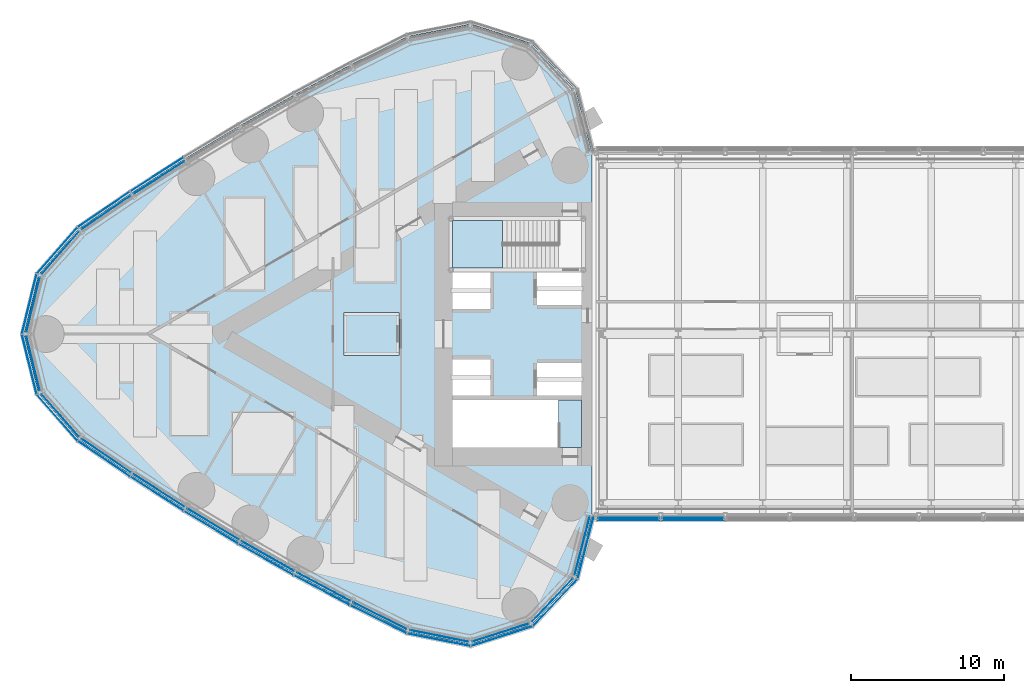
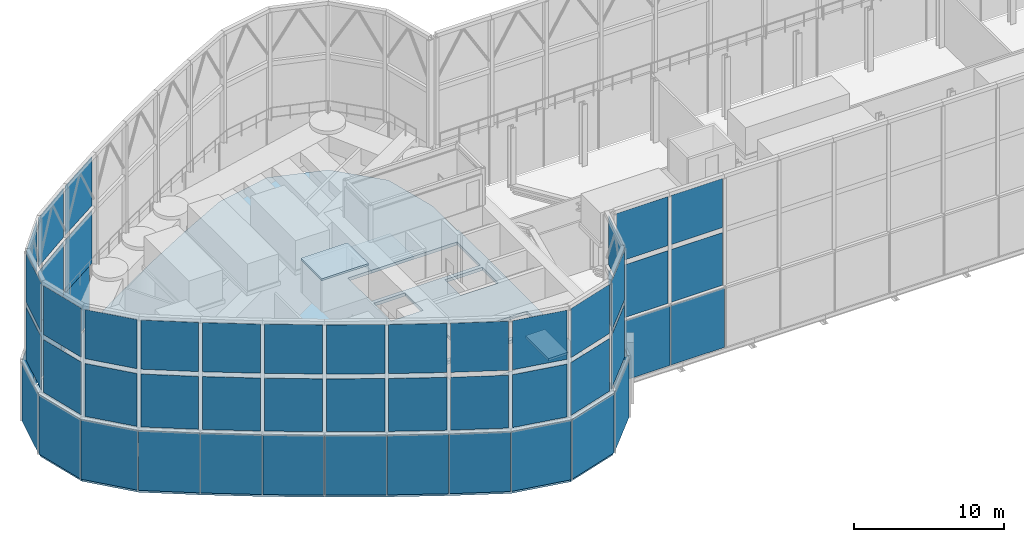
# One storey, part 22 of 33: 55 plates, 3 slabs, 5 elements without a shape of their own.
"""IFC4 building model written with IfcOpenShell, lengths in metres."""

from ifc_helpers import new_model, si_unit, direction, frame, origin, origin_2d, place, context, subcontext, project, spatial, polyline, rectangle, outline, extrude, material, layer, layer_set, type_object, element, aggregate, save


model = new_model("IFC4")

# Units and contexts
model_context = context("Model", 3, precision=1e-05, world=origin(), true_north=direction((0.0, 1.0)))
body_context = subcontext(model_context, "Body", "Model", "MODEL_VIEW")
ifc_project = project(units=[si_unit("LENGTHUNIT", "METRE"), si_unit("AREAUNIT", "SQUARE_METRE"), si_unit("VOLUMEUNIT", "CUBIC_METRE"), si_unit("PLANEANGLEUNIT", "RADIAN"), si_unit("MASSUNIT", "GRAM", prefix="KILO")], contexts=[model_context])

# Site, building, storey
site_placement = place(None, origin())
site = spatial("IfcSite", under=ifc_project, at=site_placement, CompositionType="ELEMENT")
building_placement = place(site_placement, origin())
building = spatial("IfcBuilding", under=site, at=building_placement, Name="Lancet Gate Hotel", CompositionType="ELEMENT")
storey_placement = place(building_placement, frame((0.0, 0.0, 268.300048828125)))
storey = spatial("IfcBuildingStorey", under=building, at=storey_placement, Name="L70", CompositionType="ELEMENT", Elevation=268.300048828125)

# Slab
ifc_material_1 = material(Name="Concrete C50/60", Category="concrete")
ifc_layer_1 = layer(ifc_material_1, 0.25)
ifc_layer_set_1 = layer_set([ifc_layer_1], Name="Floor slab 250")
slab_type_1 = type_object("IfcSlabType", Name="Floor slab 250", PredefinedType="FLOOR", material=ifc_layer_set_1)
slab_1_placement = place(storey_placement, frame((0.0, 0.0, -0.25)))
element("IfcSlab", 1, at=slab_1_placement, inside=storey, type_object=slab_type_1, Name="T1 L70 floor slab", PredefinedType="FLOOR", context=body_context, shape_type="SweptSolid", body=[
    extrude(outline(polyline([(-27.6201171875, 8.60009765625), (-27.6201171875, 11.84619140625), (-28.668701171875, 15.912353515625), (-31.542236328125, 18.95263671875), (-35.52783203125, 20.22412109375), (-39.645751953125, 19.40673828125), (-43.344482421875, 17.565673828125), (-47.005126953125, 15.618896484375), (-50.61181640625, 13.574462890625), (-54.162353515625, 11.43359375), (-57.654052734375, 9.197998046875), (-61.072998046875, 6.876708984375), (-63.71240234375, 3.871337890625), (-64.66064453125, 0.0), (-63.71240234375, -3.871337890625), (-61.072998046875, -6.876708984375), (-57.654052734375, -9.197998046875), (-54.162353515625, -11.43359375), (-50.61181640625, -13.574462890625), (-47.005126953125, -15.618896484375), (-43.344482421875, -17.565673828125), (-39.645751953125, -19.40673828125), (-35.52783203125, -20.22412109375), (-31.542236328125, -18.95263671875), (-28.668701171875, -15.912353515625), (-27.6201171875, -11.84619140625), (-27.6201171875, -8.60009765625), (-27.5, -8.60009765625), (-27.5, -8.199951171875), (-27.5, 8.199951171875), (-27.5, 8.60009765625), (-27.6201171875, 8.60009765625)]), holes=[polyline([(-28.300048828125, 7.39990234375), (-36.699951171875, 7.39990234375), (-36.699951171875, 4.300048828125), (-28.300048828125, 4.300048828125), (-28.300048828125, 7.39990234375)]), polyline([(-28.300048828125, 1.89990234375), (-28.300048828125, 4.0), (-31.199951171875, 4.0), (-31.199951171875, 1.89990234375), (-28.300048828125, 1.89990234375)]), polyline([(-34.25, 1.64990234375), (-34.25, 4.0), (-36.699951171875, 4.0), (-36.699951171875, 1.64990234375), (-34.25, 1.64990234375)]), polyline([(-34.25, -1.64990234375), (-36.699951171875, -1.64990234375), (-36.699951171875, -4.0), (-34.25, -4.0), (-34.25, -1.64990234375)]), polyline([(-28.300048828125, -4.0), (-28.300048828125, -1.89990234375), (-31.199951171875, -1.89990234375), (-31.199951171875, -4.0), (-28.300048828125, -4.0)]), polyline([(-28.300048828125, -7.39990234375), (-28.300048828125, -4.300048828125), (-36.699951171875, -4.300048828125), (-36.699951171875, -7.39990234375), (-28.300048828125, -7.39990234375)])]), origin(), (0.0, 0.0, 1.0), 0.25),
])

# Curtain wall, plates
ifc_material_2 = material(Name="Aluminium curtain wall", Category="aluminium")
curtain_wall_type_1 = type_object("IfcCurtainWallType", Name="Lantern crown glazing", PredefinedType="USERDEFINED", material=ifc_material_2)
curtain_wall_1_placement = place(storey_placement, origin())
curtain_wall_1 = element("IfcCurtainWall", 2, at=curtain_wall_1_placement, inside=storey, type_object=curtain_wall_type_1, Name="T1 L70 curtain wall 1", ObjectType="LANTERN GLAZING", PredefinedType="USERDEFINED")
ifc_material_3 = material(Name="Laminated low-iron glass 12-12", Category="glass")
ifc_layer_2 = layer(ifc_material_3, 0.02392578125)
ifc_layer_set_2 = layer_set([ifc_layer_2], Name="Lantern glass panel")
plate_type_1 = type_object("IfcPlateType", Name="Lantern glass panel", PredefinedType="CURTAIN_PANEL", material=ifc_layer_set_2)
plate_1_placement = place(storey_placement, frame((-55.972900390625, 10.416748046875, 0.0), z_axis=(0.0, 0.0, 1.0), x_axis=(-0.842161066725, -0.539226054352, 0.0)))
plate_1 = element("IfcPlate", 3, at=plate_1_placement, type_object=plate_type_1, Name="T1 L70 curtain wall 1 panel 9", PredefinedType="CURTAIN_PANEL", context=body_context, shape_type="SweptSolid", body=[
    extrude(rectangle(XDim=4.084228515625, YDim=0.02392578125, at=origin_2d()), origin(), (0.0, 0.0, 1.0), 4.85009765625),
])
plate_2_placement = place(storey_placement, frame((-59.4365234375, 8.1328125, 0.0), z_axis=(0.0, 0.0, 1.0), x_axis=(-0.827342052281, -0.561698432014, 0.0)))
plate_2 = element("IfcPlate", 4, at=plate_2_placement, type_object=plate_type_1, Name="T1 L70 curtain wall 1 panel 10", PredefinedType="CURTAIN_PANEL", context=body_context, shape_type="SweptSolid", body=[
    extrude(rectangle(XDim=4.084228515625, YDim=0.02392578125, at=origin_2d()), origin(), (0.0, 0.0, 1.0), 4.85009765625),
])
plate_3_placement = place(storey_placement, frame((-62.487548828125, 5.447998046875, 0.0), z_axis=(0.0, 0.0, 1.0), x_axis=(-0.659891635916, -0.751360784742, 0.0)))
plate_3 = element("IfcPlate", 5, at=plate_3_placement, type_object=plate_type_1, Name="T1 L70 curtain wall 1 panel 11", PredefinedType="CURTAIN_PANEL", context=body_context, shape_type="SweptSolid", body=[
    extrude(rectangle(XDim=3.979736328125, YDim=0.02392578125, at=origin_2d()), origin(), (0.0, 0.0, 1.0), 4.85009765625),
])
plate_4_placement = place(storey_placement, frame((-64.30322265625, 1.96435546875, 0.0), z_axis=(0.0, 0.0, 1.0), x_axis=(-0.237921018621, -0.971284504612, 0.0)))
plate_4 = element("IfcPlate", 6, at=plate_4_placement, type_object=plate_type_1, Name="T1 L70 curtain wall 1 panel 12", PredefinedType="CURTAIN_PANEL", context=body_context, shape_type="SweptSolid", body=[
    extrude(rectangle(XDim=3.979736328125, YDim=0.02392578125, at=origin_2d()), origin(), (0.0, 0.0, 1.0), 4.85009765625),
])
plate_5_placement = place(storey_placement, frame((-64.30322265625, -1.96435546875, 0.0), z_axis=(0.0, 0.0, 1.0), x_axis=(0.237921018621, -0.971284504612, 0.0)))
plate_5 = element("IfcPlate", 7, at=plate_5_placement, type_object=plate_type_1, Name="T1 L70 curtain wall 1 panel 13", PredefinedType="CURTAIN_PANEL", context=body_context, shape_type="SweptSolid", body=[
    extrude(rectangle(XDim=3.979736328125, YDim=0.02392578125, at=origin_2d()), origin(), (0.0, 0.0, 1.0), 4.85009765625),
])
plate_6_placement = place(storey_placement, frame((-62.487548828125, -5.447998046875, 0.0), z_axis=(0.0, 0.0, 1.0), x_axis=(0.659891635916, -0.751360784742, 0.0)))
plate_6 = element("IfcPlate", 8, at=plate_6_placement, type_object=plate_type_1, Name="T1 L70 curtain wall 1 panel 14", PredefinedType="CURTAIN_PANEL", context=body_context, shape_type="SweptSolid", body=[
    extrude(rectangle(XDim=3.979736328125, YDim=0.02392578125, at=origin_2d()), origin(), (0.0, 0.0, 1.0), 4.85009765625),
])
plate_7_placement = place(storey_placement, frame((-59.4365234375, -8.1328125, 0.0), z_axis=(0.0, 0.0, 1.0), x_axis=(0.827342052281, -0.561698432014, 0.0)))
plate_7 = element("IfcPlate", 9, at=plate_7_placement, type_object=plate_type_1, Name="T1 L70 curtain wall 1 panel 15", PredefinedType="CURTAIN_PANEL", context=body_context, shape_type="SweptSolid", body=[
    extrude(rectangle(XDim=4.084228515625, YDim=0.02392578125, at=origin_2d()), origin(), (0.0, 0.0, 1.0), 4.85009765625),
])
plate_8_placement = place(storey_placement, frame((-55.972900390625, -10.416748046875, 0.0), z_axis=(0.0, 0.0, 1.0), x_axis=(0.842161066725, -0.539226054352, 0.0)))
plate_8 = element("IfcPlate", 10, at=plate_8_placement, type_object=plate_type_1, Name="T1 L70 curtain wall 1 panel 16", PredefinedType="CURTAIN_PANEL", context=body_context, shape_type="SweptSolid", body=[
    extrude(rectangle(XDim=4.084228515625, YDim=0.02392578125, at=origin_2d()), origin(), (0.0, 0.0, 1.0), 4.85009765625),
])
plate_9_placement = place(storey_placement, frame((-52.44921875, -12.606689453125, 0.0), z_axis=(0.0, 0.0, 1.0), x_axis=(0.85636984205, -0.516362947574, 0.0)))
plate_9 = element("IfcPlate", 11, at=plate_9_placement, type_object=plate_type_1, Name="T1 L70 curtain wall 1 panel 17", PredefinedType="CURTAIN_PANEL", context=body_context, shape_type="SweptSolid", body=[
    extrude(rectangle(XDim=4.084228515625, YDim=0.02392578125, at=origin_2d()), origin(), (0.0, 0.0, 1.0), 4.85009765625),
])
plate_10_placement = place(storey_placement, frame((-48.86767578125, -14.701171875, 0.0), z_axis=(0.0, 0.0, 1.0), x_axis=(0.869958082404, -0.493125678565, 0.0)))
plate_10 = element("IfcPlate", 12, at=plate_10_placement, type_object=plate_type_1, Name="T1 L70 curtain wall 1 panel 18", PredefinedType="CURTAIN_PANEL", context=body_context, shape_type="SweptSolid", body=[
    extrude(rectangle(XDim=4.084228515625, YDim=0.02392578125, at=origin_2d()), origin(), (0.0, 0.0, 1.0), 4.85009765625),
])
plate_11_placement = place(storey_placement, frame((-45.23095703125, -16.6982421875, 0.0), z_axis=(0.0, 0.0, 1.0), x_axis=(0.882915941615, -0.469531085277, 0.0)))
plate_11 = element("IfcPlate", 13, at=plate_11_placement, type_object=plate_type_1, Name="T1 L70 curtain wall 1 panel 19", PredefinedType="CURTAIN_PANEL", context=body_context, shape_type="SweptSolid", body=[
    extrude(rectangle(XDim=4.084228515625, YDim=0.02392578125, at=origin_2d()), origin(), (0.0, 0.0, 1.0), 4.85009765625),
])
plate_12_placement = place(storey_placement, frame((-41.5419921875, -18.5966796875, 0.0), z_axis=(0.0, 0.0, 1.0), x_axis=(0.895234030262, -0.445596264639, 0.0)))
plate_12 = element("IfcPlate", 14, at=plate_12_placement, type_object=plate_type_1, Name="T1 L70 curtain wall 1 panel 20", PredefinedType="CURTAIN_PANEL", context=body_context, shape_type="SweptSolid", body=[
    extrude(rectangle(XDim=4.084228515625, YDim=0.02392578125, at=origin_2d()), origin(), (0.0, 0.0, 1.0), 4.85009765625),
])
plate_13_placement = place(storey_placement, frame((-37.602783203125, -19.9345703125, 0.0), z_axis=(0.0, 0.0, 1.0), x_axis=(0.980856647866, -0.194731189942, 0.0)))
plate_13 = element("IfcPlate", 15, at=plate_13_placement, type_object=plate_type_1, Name="T1 L70 curtain wall 1 panel 21", PredefinedType="CURTAIN_PANEL", context=body_context, shape_type="SweptSolid", body=[
    extrude(rectangle(XDim=4.180419921875, YDim=0.02392578125, at=origin_2d()), origin(), (0.0, 0.0, 1.0), 4.85009765625),
])
plate_14_placement = place(storey_placement, frame((-33.49853515625, -19.702880859375, 0.0), z_axis=(0.0, 0.0, 1.0), x_axis=(0.952695666833, 0.303925922549, 0.0)))
plate_14 = element("IfcPlate", 16, at=plate_14_placement, type_object=plate_type_1, Name="T1 L70 curtain wall 1 panel 22", PredefinedType="CURTAIN_PANEL", context=body_context, shape_type="SweptSolid", body=[
    extrude(rectangle(XDim=4.180419921875, YDim=0.02392578125, at=origin_2d()), origin(), (0.0, 0.0, 1.0), 4.85009765625),
])
plate_15_placement = place(storey_placement, frame((-30.018310546875, -17.514892578125, 0.0), z_axis=(0.0, 0.0, 1.0), x_axis=(0.686882887577, 0.726768118972, 0.0)))
plate_15 = element("IfcPlate", 17, at=plate_15_placement, type_object=plate_type_1, Name="T1 L70 curtain wall 1 panel 23", PredefinedType="CURTAIN_PANEL", context=body_context, shape_type="SweptSolid", body=[
    extrude(rectangle(XDim=4.180419921875, YDim=0.02392578125, at=origin_2d()), origin(), (0.0, 0.0, 1.0), 4.85009765625),
])
plate_16_placement = place(storey_placement, frame((-28.030029296875, -13.9169921875, 0.0), z_axis=(0.0, 0.0, 1.0), x_axis=(0.249725827997, 0.968316586056, 0.0)))
plate_16 = element("IfcPlate", 18, at=plate_16_placement, type_object=plate_type_1, Name="T1 L70 curtain wall 1 panel 24", PredefinedType="CURTAIN_PANEL", context=body_context, shape_type="SweptSolid", body=[
    extrude(rectangle(XDim=4.180419921875, YDim=0.02392578125, at=origin_2d()), origin(), (0.0, 0.0, 1.0), 4.85009765625),
])
aggregate(curtain_wall_1, [plate_1, plate_2, plate_3, plate_4, plate_5, plate_6, plate_7, plate_8, plate_9, plate_10, plate_11, plate_12, plate_13, plate_14, plate_15, plate_16])

curtain_wall_2_placement = place(storey_placement, origin())
curtain_wall_2 = element("IfcCurtainWall", 19, at=curtain_wall_2_placement, inside=storey, type_object=curtain_wall_type_1, Name="Bridge block L70 curtain wall S", ObjectType="LANTERN GLAZING", PredefinedType="USERDEFINED")
plate_17_placement = place(storey_placement, frame((-25.24609375, -12.1201171875, 0.0), z_axis=(0.0, 0.0, 1.0), x_axis=(1.0, 0.0, 0.0)))
plate_17 = element("IfcPlate", 20, at=plate_17_placement, type_object=plate_type_1, Name="Bridge block L70 curtain wall S panel 1", PredefinedType="CURTAIN_PANEL", context=body_context, shape_type="SweptSolid", body=[
    extrude(rectangle(XDim=4.142578125, YDim=0.02392578125, at=origin_2d()), origin(), (0.0, 0.0, 1.0), 4.85009765625),
])
plate_18_placement = place(storey_placement, frame((-21.03857421875, -12.1201171875, 0.0), z_axis=(0.0, 0.0, 1.0), x_axis=(1.0, 0.0, 0.0)))
plate_18 = element("IfcPlate", 21, at=plate_18_placement, type_object=plate_type_1, Name="Bridge block L70 curtain wall S panel 2", PredefinedType="CURTAIN_PANEL", context=body_context, shape_type="SweptSolid", body=[
    extrude(rectangle(XDim=4.142578125, YDim=0.02392578125, at=origin_2d()), origin(), (0.0, 0.0, 1.0), 4.85009765625),
])
aggregate(curtain_wall_2, [plate_17, plate_18])

ifc_material_4 = material(Name="Steel framed lantern screen", Category="steel")
curtain_wall_type_2 = type_object("IfcCurtainWallType", Name="Lantern screen", PredefinedType="USERDEFINED", material=ifc_material_4)
curtain_wall_3_placement = place(storey_placement, origin())
curtain_wall_3 = element("IfcCurtainWall", 22, at=curtain_wall_3_placement, inside=storey, type_object=curtain_wall_type_2, Name="T1 lantern screen 1", ObjectType="LANTERN SCREEN", PredefinedType="USERDEFINED")
ifc_material_5 = material(Name="Laminated low-iron glass 12-12", Category="glass")
ifc_layer_3 = layer(ifc_material_5, 0.02392578125)
ifc_layer_set_3 = layer_set([ifc_layer_3], Name="Lantern screen glass panel")
plate_type_2 = type_object("IfcPlateType", Name="Lantern screen glass panel", PredefinedType="CURTAIN_PANEL", material=ifc_layer_set_3)
plate_19_placement = place(storey_placement, frame((-55.838134765625, 10.206298828125, 5.0), z_axis=(0.0, 0.0, 1.0), x_axis=(-0.842161066725, -0.539226054352, 0.0)))
plate_19 = element("IfcPlate", 23, at=plate_19_placement, type_object=plate_type_2, Name="T1 lantern screen 1 glass 9L", PredefinedType="CURTAIN_PANEL", context=body_context, shape_type="SweptSolid", body=[
    extrude(rectangle(XDim=3.8896484375, YDim=0.02392578125, at=origin_2d()), origin(), (0.0, 0.0, 1.0), 4.300048828125),
])
plate_20_placement = place(storey_placement, frame((-55.838134765625, 10.206298828125, 9.699951171875), z_axis=(0.0, 0.0, 1.0), x_axis=(-0.842161066725, -0.539226054352, 0.0)))
plate_20 = element("IfcPlate", 24, at=plate_20_placement, type_object=plate_type_2, Name="T1 lantern screen 1 glass 9U", PredefinedType="CURTAIN_PANEL", context=body_context, shape_type="SweptSolid", body=[
    extrude(rectangle(XDim=3.8896484375, YDim=0.02392578125, at=origin_2d()), origin(), (0.0, 0.0, 1.0), 4.0),
])
plate_21_placement = place(storey_placement, frame((-59.279052734375, 7.9375, 5.0), z_axis=(0.0, 0.0, 1.0), x_axis=(-0.827342052281, -0.561698432014, 0.0)))
plate_21 = element("IfcPlate", 25, at=plate_21_placement, type_object=plate_type_2, Name="T1 lantern screen 1 glass 10L", PredefinedType="CURTAIN_PANEL", context=body_context, shape_type="SweptSolid", body=[
    extrude(rectangle(XDim=3.848388671875, YDim=0.02392578125, at=origin_2d()), origin(), (0.0, 0.0, 1.0), 4.300048828125),
])
plate_22_placement = place(storey_placement, frame((-59.279052734375, 7.9375, 9.699951171875), z_axis=(0.0, 0.0, 1.0), x_axis=(-0.827342052281, -0.561698432014, 0.0)))
plate_22 = element("IfcPlate", 26, at=plate_22_placement, type_object=plate_type_2, Name="T1 lantern screen 1 glass 10U", PredefinedType="CURTAIN_PANEL", context=body_context, shape_type="SweptSolid", body=[
    extrude(rectangle(XDim=3.848388671875, YDim=0.02392578125, at=origin_2d()), origin(), (0.0, 0.0, 1.0), 4.0),
])
plate_23_placement = place(storey_placement, frame((-62.28564453125, 5.298828125, 5.0), z_axis=(0.0, 0.0, 1.0), x_axis=(-0.659891635916, -0.751360784742, 0.0)))
plate_23 = element("IfcPlate", 27, at=plate_23_placement, type_object=plate_type_2, Name="T1 lantern screen 1 glass 11L", PredefinedType="CURTAIN_PANEL", context=body_context, shape_type="SweptSolid", body=[
    extrude(rectangle(XDim=3.66064453125, YDim=0.02392578125, at=origin_2d()), origin(), (0.0, 0.0, 1.0), 4.300048828125),
])
plate_24_placement = place(storey_placement, frame((-62.28564453125, 5.298828125, 9.699951171875), z_axis=(0.0, 0.0, 1.0), x_axis=(-0.659891635916, -0.751360784742, 0.0)))
plate_24 = element("IfcPlate", 28, at=plate_24_placement, type_object=plate_type_2, Name="T1 lantern screen 1 glass 11U", PredefinedType="CURTAIN_PANEL", context=body_context, shape_type="SweptSolid", body=[
    extrude(rectangle(XDim=3.66064453125, YDim=0.02392578125, at=origin_2d()), origin(), (0.0, 0.0, 1.0), 4.0),
])
plate_25_placement = place(storey_placement, frame((-64.060302734375, 1.90478515625, 5.0), z_axis=(0.0, 0.0, 1.0), x_axis=(-0.237921018621, -0.971284504612, 0.0)))
plate_25 = element("IfcPlate", 29, at=plate_25_placement, type_object=plate_type_2, Name="T1 lantern screen 1 glass 12L", PredefinedType="CURTAIN_PANEL", context=body_context, shape_type="SweptSolid", body=[
    extrude(rectangle(XDim=3.618408203125, YDim=0.02392578125, at=origin_2d()), origin(), (0.0, 0.0, 1.0), 4.300048828125),
])
plate_26_placement = place(storey_placement, frame((-64.060302734375, 1.90478515625, 9.699951171875), z_axis=(0.0, 0.0, 1.0), x_axis=(-0.237921018621, -0.971284504612, 0.0)))
plate_26 = element("IfcPlate", 30, at=plate_26_placement, type_object=plate_type_2, Name="T1 lantern screen 1 glass 12U", PredefinedType="CURTAIN_PANEL", context=body_context, shape_type="SweptSolid", body=[
    extrude(rectangle(XDim=3.618408203125, YDim=0.02392578125, at=origin_2d()), origin(), (0.0, 0.0, 1.0), 4.0),
])
plate_27_placement = place(storey_placement, frame((-64.060302734375, -1.90478515625, 5.0), z_axis=(0.0, 0.0, 1.0), x_axis=(0.237921018621, -0.971284504612, 0.0)))
plate_27 = element("IfcPlate", 31, at=plate_27_placement, type_object=plate_type_2, Name="T1 lantern screen 1 glass 13L", PredefinedType="CURTAIN_PANEL", context=body_context, shape_type="SweptSolid", body=[
    extrude(rectangle(XDim=3.618408203125, YDim=0.02392578125, at=origin_2d()), origin(), (0.0, 0.0, 1.0), 4.300048828125),
])
plate_28_placement = place(storey_placement, frame((-64.060302734375, -1.90478515625, 9.699951171875), z_axis=(0.0, 0.0, 1.0), x_axis=(0.237921018621, -0.971284504612, 0.0)))
plate_28 = element("IfcPlate", 32, at=plate_28_placement, type_object=plate_type_2, Name="T1 lantern screen 1 glass 13U", PredefinedType="CURTAIN_PANEL", context=body_context, shape_type="SweptSolid", body=[
    extrude(rectangle(XDim=3.618408203125, YDim=0.02392578125, at=origin_2d()), origin(), (0.0, 0.0, 1.0), 4.0),
])
plate_29_placement = place(storey_placement, frame((-62.28564453125, -5.298828125, 5.0), z_axis=(0.0, 0.0, 1.0), x_axis=(0.659891635916, -0.751360784742, 0.0)))
plate_29 = element("IfcPlate", 33, at=plate_29_placement, type_object=plate_type_2, Name="T1 lantern screen 1 glass 14L", PredefinedType="CURTAIN_PANEL", context=body_context, shape_type="SweptSolid", body=[
    extrude(rectangle(XDim=3.66064453125, YDim=0.02392578125, at=origin_2d()), origin(), (0.0, 0.0, 1.0), 4.300048828125),
])
plate_30_placement = place(storey_placement, frame((-62.28564453125, -5.298828125, 9.699951171875), z_axis=(0.0, 0.0, 1.0), x_axis=(0.659891635916, -0.751360784742, 0.0)))
plate_30 = element("IfcPlate", 34, at=plate_30_placement, type_object=plate_type_2, Name="T1 lantern screen 1 glass 14U", PredefinedType="CURTAIN_PANEL", context=body_context, shape_type="SweptSolid", body=[
    extrude(rectangle(XDim=3.66064453125, YDim=0.02392578125, at=origin_2d()), origin(), (0.0, 0.0, 1.0), 4.0),
])
plate_31_placement = place(storey_placement, frame((-59.279052734375, -7.9375, 5.0), z_axis=(0.0, 0.0, 1.0), x_axis=(0.827342052281, -0.561698432014, 0.0)))
plate_31 = element("IfcPlate", 35, at=plate_31_placement, type_object=plate_type_2, Name="T1 lantern screen 1 glass 15L", PredefinedType="CURTAIN_PANEL", context=body_context, shape_type="SweptSolid", body=[
    extrude(rectangle(XDim=3.848388671875, YDim=0.02392578125, at=origin_2d()), origin(), (0.0, 0.0, 1.0), 4.300048828125),
])
plate_32_placement = place(storey_placement, frame((-59.279052734375, -7.9375, 9.699951171875), z_axis=(0.0, 0.0, 1.0), x_axis=(0.827342052281, -0.561698432014, 0.0)))
plate_32 = element("IfcPlate", 36, at=plate_32_placement, type_object=plate_type_2, Name="T1 lantern screen 1 glass 15U", PredefinedType="CURTAIN_PANEL", context=body_context, shape_type="SweptSolid", body=[
    extrude(rectangle(XDim=3.848388671875, YDim=0.02392578125, at=origin_2d()), origin(), (0.0, 0.0, 1.0), 4.0),
])
plate_33_placement = place(storey_placement, frame((-55.838134765625, -10.206298828125, 5.0), z_axis=(0.0, 0.0, 1.0), x_axis=(0.842161066725, -0.539226054352, 0.0)))
plate_33 = element("IfcPlate", 37, at=plate_33_placement, type_object=plate_type_2, Name="T1 lantern screen 1 glass 16L", PredefinedType="CURTAIN_PANEL", context=body_context, shape_type="SweptSolid", body=[
    extrude(rectangle(XDim=3.8896484375, YDim=0.02392578125, at=origin_2d()), origin(), (0.0, 0.0, 1.0), 4.300048828125),
])
plate_34_placement = place(storey_placement, frame((-55.838134765625, -10.206298828125, 9.699951171875), z_axis=(0.0, 0.0, 1.0), x_axis=(0.842161066725, -0.539226054352, 0.0)))
plate_34 = element("IfcPlate", 38, at=plate_34_placement, type_object=plate_type_2, Name="T1 lantern screen 1 glass 16U", PredefinedType="CURTAIN_PANEL", context=body_context, shape_type="SweptSolid", body=[
    extrude(rectangle(XDim=3.8896484375, YDim=0.02392578125, at=origin_2d()), origin(), (0.0, 0.0, 1.0), 4.0),
])
plate_35_placement = place(storey_placement, frame((-52.320068359375, -12.392578125, 5.0), z_axis=(0.0, 0.0, 1.0), x_axis=(0.85636984205, -0.516362947574, 0.0)))
plate_35 = element("IfcPlate", 39, at=plate_35_placement, type_object=plate_type_2, Name="T1 lantern screen 1 glass 17L", PredefinedType="CURTAIN_PANEL", context=body_context, shape_type="SweptSolid", body=[
    extrude(rectangle(XDim=3.8896484375, YDim=0.02392578125, at=origin_2d()), origin(), (0.0, 0.0, 1.0), 4.300048828125),
])
plate_36_placement = place(storey_placement, frame((-52.320068359375, -12.392578125, 9.699951171875), z_axis=(0.0, 0.0, 1.0), x_axis=(0.85636984205, -0.516362947574, 0.0)))
plate_36 = element("IfcPlate", 40, at=plate_36_placement, type_object=plate_type_2, Name="T1 lantern screen 1 glass 17U", PredefinedType="CURTAIN_PANEL", context=body_context, shape_type="SweptSolid", body=[
    extrude(rectangle(XDim=3.8896484375, YDim=0.02392578125, at=origin_2d()), origin(), (0.0, 0.0, 1.0), 4.0),
])
plate_37_placement = place(storey_placement, frame((-48.744384765625, -14.483642578125, 5.0), z_axis=(0.0, 0.0, 1.0), x_axis=(0.869958082404, -0.493125678565, 0.0)))
plate_37 = element("IfcPlate", 41, at=plate_37_placement, type_object=plate_type_2, Name="T1 lantern screen 1 glass 18L", PredefinedType="CURTAIN_PANEL", context=body_context, shape_type="SweptSolid", body=[
    extrude(rectangle(XDim=3.8896484375, YDim=0.02392578125, at=origin_2d()), origin(), (0.0, 0.0, 1.0), 4.300048828125),
])
plate_38_placement = place(storey_placement, frame((-48.744384765625, -14.483642578125, 9.699951171875), z_axis=(0.0, 0.0, 1.0), x_axis=(0.869958082404, -0.493125678565, 0.0)))
plate_38 = element("IfcPlate", 42, at=plate_38_placement, type_object=plate_type_2, Name="T1 lantern screen 1 glass 18U", PredefinedType="CURTAIN_PANEL", context=body_context, shape_type="SweptSolid", body=[
    extrude(rectangle(XDim=3.8896484375, YDim=0.02392578125, at=origin_2d()), origin(), (0.0, 0.0, 1.0), 4.0),
])
plate_39_placement = place(storey_placement, frame((-45.11376953125, -16.4775390625, 5.0), z_axis=(0.0, 0.0, 1.0), x_axis=(0.882915941615, -0.469531085277, 0.0)))
plate_39 = element("IfcPlate", 43, at=plate_39_placement, type_object=plate_type_2, Name="T1 lantern screen 1 glass 19L", PredefinedType="CURTAIN_PANEL", context=body_context, shape_type="SweptSolid", body=[
    extrude(rectangle(XDim=3.8896484375, YDim=0.02392578125, at=origin_2d()), origin(), (0.0, 0.0, 1.0), 4.300048828125),
])
plate_40_placement = place(storey_placement, frame((-45.11376953125, -16.4775390625, 9.699951171875), z_axis=(0.0, 0.0, 1.0), x_axis=(0.882915941615, -0.469531085277, 0.0)))
plate_40 = element("IfcPlate", 44, at=plate_40_placement, type_object=plate_type_2, Name="T1 lantern screen 1 glass 19U", PredefinedType="CURTAIN_PANEL", context=body_context, shape_type="SweptSolid", body=[
    extrude(rectangle(XDim=3.8896484375, YDim=0.02392578125, at=origin_2d()), origin(), (0.0, 0.0, 1.0), 4.0),
])
plate_41_placement = place(storey_placement, frame((-41.449951171875, -18.36328125, 5.0), z_axis=(0.0, 0.0, 1.0), x_axis=(0.895234030262, -0.445596264639, 0.0)))
plate_41 = element("IfcPlate", 45, at=plate_41_placement, type_object=plate_type_2, Name="T1 lantern screen 1 glass 20L", PredefinedType="CURTAIN_PANEL", context=body_context, shape_type="SweptSolid", body=[
    extrude(rectangle(XDim=3.84619140625, YDim=0.02392578125, at=origin_2d()), origin(), (0.0, 0.0, 1.0), 4.300048828125),
])
plate_42_placement = place(storey_placement, frame((-41.449951171875, -18.36328125, 9.699951171875), z_axis=(0.0, 0.0, 1.0), x_axis=(0.895234030262, -0.445596264639, 0.0)))
plate_42 = element("IfcPlate", 46, at=plate_42_placement, type_object=plate_type_2, Name="T1 lantern screen 1 glass 20U", PredefinedType="CURTAIN_PANEL", context=body_context, shape_type="SweptSolid", body=[
    extrude(rectangle(XDim=3.84619140625, YDim=0.02392578125, at=origin_2d()), origin(), (0.0, 0.0, 1.0), 4.0),
])
plate_43_placement = place(storey_placement, frame((-37.575927734375, -19.68505859375, 5.0), z_axis=(0.0, 0.0, 1.0), x_axis=(0.980856647866, -0.194731189942, 0.0)))
plate_43 = element("IfcPlate", 47, at=plate_43_placement, type_object=plate_type_2, Name="T1 lantern screen 1 glass 21L", PredefinedType="CURTAIN_PANEL", context=body_context, shape_type="SweptSolid", body=[
    extrude(rectangle(XDim=3.854248046875, YDim=0.02392578125, at=origin_2d()), origin(), (0.0, 0.0, 1.0), 4.300048828125),
])
plate_44_placement = place(storey_placement, frame((-37.575927734375, -19.68505859375, 9.699951171875), z_axis=(0.0, 0.0, 1.0), x_axis=(0.980856647866, -0.194731189942, 0.0)))
plate_44 = element("IfcPlate", 48, at=plate_44_placement, type_object=plate_type_2, Name="T1 lantern screen 1 glass 21U", PredefinedType="CURTAIN_PANEL", context=body_context, shape_type="SweptSolid", body=[
    extrude(rectangle(XDim=3.854248046875, YDim=0.02392578125, at=origin_2d()), origin(), (0.0, 0.0, 1.0), 4.0),
])
plate_45_placement = place(storey_placement, frame((-33.574462890625, -19.464599609375, 5.0), z_axis=(0.0, 0.0, 1.0), x_axis=(0.952695666833, 0.303925922549, 0.0)))
plate_45 = element("IfcPlate", 49, at=plate_45_placement, type_object=plate_type_2, Name="T1 lantern screen 1 glass 22L", PredefinedType="CURTAIN_PANEL", context=body_context, shape_type="SweptSolid", body=[
    extrude(rectangle(XDim=3.8095703125, YDim=0.02392578125, at=origin_2d()), origin(), (0.0, 0.0, 1.0), 4.300048828125),
])
plate_46_placement = place(storey_placement, frame((-33.574462890625, -19.464599609375, 9.699951171875), z_axis=(0.0, 0.0, 1.0), x_axis=(0.952695666833, 0.303925922549, 0.0)))
plate_46 = element("IfcPlate", 50, at=plate_46_placement, type_object=plate_type_2, Name="T1 lantern screen 1 glass 22U", PredefinedType="CURTAIN_PANEL", context=body_context, shape_type="SweptSolid", body=[
    extrude(rectangle(XDim=3.8095703125, YDim=0.02392578125, at=origin_2d()), origin(), (0.0, 0.0, 1.0), 4.0),
])
plate_47_placement = place(storey_placement, frame((-30.199951171875, -17.34326171875, 5.0), z_axis=(0.0, 0.0, 1.0), x_axis=(0.686882887577, 0.726768118972, 0.0)))
plate_47 = element("IfcPlate", 51, at=plate_47_placement, type_object=plate_type_2, Name="T1 lantern screen 1 glass 23L", PredefinedType="CURTAIN_PANEL", context=body_context, shape_type="SweptSolid", body=[
    extrude(rectangle(XDim=3.8095703125, YDim=0.02392578125, at=origin_2d()), origin(), (0.0, 0.0, 1.0), 4.300048828125),
])
plate_48_placement = place(storey_placement, frame((-30.199951171875, -17.34326171875, 9.699951171875), z_axis=(0.0, 0.0, 1.0), x_axis=(0.686882887577, 0.726768118972, 0.0)))
plate_48 = element("IfcPlate", 52, at=plate_48_placement, type_object=plate_type_2, Name="T1 lantern screen 1 glass 23U", PredefinedType="CURTAIN_PANEL", context=body_context, shape_type="SweptSolid", body=[
    extrude(rectangle(XDim=3.8095703125, YDim=0.02392578125, at=origin_2d()), origin(), (0.0, 0.0, 1.0), 4.0),
])
plate_49_placement = place(storey_placement, frame((-28.260498046875, -13.8095703125, 5.0), z_axis=(0.0, 0.0, 1.0), x_axis=(0.249725827997, 0.968316586056, 0.0)))
plate_49 = element("IfcPlate", 53, at=plate_49_placement, type_object=plate_type_2, Name="T1 lantern screen 1 glass 24L", PredefinedType="CURTAIN_PANEL", context=body_context, shape_type="SweptSolid", body=[
    extrude(rectangle(XDim=3.902587890625, YDim=0.02392578125, at=origin_2d()), origin(), (0.0, 0.0, 1.0), 4.300048828125),
])
plate_50_placement = place(storey_placement, frame((-28.260498046875, -13.8095703125, 9.699951171875), z_axis=(0.0, 0.0, 1.0), x_axis=(0.249725827997, 0.968316586056, 0.0)))
plate_50 = element("IfcPlate", 54, at=plate_50_placement, type_object=plate_type_2, Name="T1 lantern screen 1 glass 24U", PredefinedType="CURTAIN_PANEL", context=body_context, shape_type="SweptSolid", body=[
    extrude(rectangle(XDim=3.902587890625, YDim=0.02392578125, at=origin_2d()), origin(), (0.0, 0.0, 1.0), 4.0),
])
aggregate(curtain_wall_3, [plate_19, plate_20, plate_21, plate_22, plate_23, plate_24, plate_25, plate_26, plate_27, plate_28, plate_29, plate_30, plate_31, plate_32, plate_33, plate_34, plate_35, plate_36, plate_37, plate_38, plate_39, plate_40, plate_41, plate_42, plate_43, plate_44, plate_45, plate_46, plate_47, plate_48, plate_49, plate_50])

curtain_wall_4_placement = place(storey_placement, origin())
curtain_wall_4 = element("IfcCurtainWall", 55, at=curtain_wall_4_placement, inside=storey, type_object=curtain_wall_type_2, Name="Bridge block lantern screen S", ObjectType="LANTERN SCREEN", PredefinedType="USERDEFINED")
plate_51_placement = place(storey_placement, frame((-25.24609375, -11.989990234375, 5.0), z_axis=(0.0, 0.0, 1.0), x_axis=(1.0, 0.0, 0.0)))
plate_51 = element("IfcPlate", 56, at=plate_51_placement, type_object=plate_type_2, Name="Bridge block lantern screen S glass 1L", PredefinedType="CURTAIN_PANEL", context=body_context, shape_type="SweptSolid", body=[
    extrude(rectangle(XDim=3.957763671875, YDim=0.02392578125, at=origin_2d()), origin(), (0.0, 0.0, 1.0), 4.300048828125),
])
plate_52_placement = place(storey_placement, frame((-25.24609375, -11.989990234375, 9.699951171875), z_axis=(0.0, 0.0, 1.0), x_axis=(1.0, 0.0, 0.0)))
plate_52 = element("IfcPlate", 57, at=plate_52_placement, type_object=plate_type_2, Name="Bridge block lantern screen S glass 1U", PredefinedType="CURTAIN_PANEL", context=body_context, shape_type="SweptSolid", body=[
    extrude(rectangle(XDim=3.957763671875, YDim=0.02392578125, at=origin_2d()), origin(), (0.0, 0.0, 1.0), 4.0),
])
plate_53_placement = place(storey_placement, frame((-21.03857421875, -11.989990234375, 5.0), z_axis=(0.0, 0.0, 1.0), x_axis=(1.0, 0.0, 0.0)))
plate_53 = element("IfcPlate", 58, at=plate_53_placement, type_object=plate_type_2, Name="Bridge block lantern screen S glass 2L", PredefinedType="CURTAIN_PANEL", context=body_context, shape_type="SweptSolid", body=[
    extrude(rectangle(XDim=3.957763671875, YDim=0.02392578125, at=origin_2d()), origin(), (0.0, 0.0, 1.0), 4.300048828125),
])
plate_54_placement = place(storey_placement, frame((-21.03857421875, -11.989990234375, 9.699951171875), z_axis=(0.0, 0.0, 1.0), x_axis=(1.0, 0.0, 0.0)))
plate_54 = element("IfcPlate", 59, at=plate_54_placement, type_object=plate_type_2, Name="Bridge block lantern screen S glass 2U", PredefinedType="CURTAIN_PANEL", context=body_context, shape_type="SweptSolid", body=[
    extrude(rectangle(XDim=3.957763671875, YDim=0.02392578125, at=origin_2d()), origin(), (0.0, 0.0, 1.0), 4.0),
])
aggregate(curtain_wall_4, [plate_51, plate_52, plate_53, plate_54])

# Plate
ifc_material_6 = material(Name="Aluminium roof deck sheet", Category="aluminium")
ifc_layer_4 = layer(ifc_material_6, 0.14990234375)
ifc_layer_set_4 = layer_set([ifc_layer_4], Name="Roof access store deck plate 150")
plate_type_3 = type_object("IfcPlateType", Name="Roof access store deck plate 150", PredefinedType="SHEET", material=ifc_layer_set_4)
plate_55_placement = place(storey_placement, frame((0.0, 0.0, 7.599853515625)))
element("IfcPlate", 60, at=plate_55_placement, inside=storey, type_object=plate_type_3, Name="T1 roof access store deck", PredefinedType="SHEET", context=body_context, shape_type="SweptSolid", body=[
    extrude(outline(polyline([(-40.199951171875, -1.39990234375), (-40.199951171875, 1.39990234375), (-43.800048828125, 1.39990234375), (-43.800048828125, -1.39990234375), (-40.199951171875, -1.39990234375)])), origin(), (0.0, 0.0, 1.0), 0.150146484375),
])

# Stair, slab
ifc_material_7 = material(Name="Exit stair 28 risers 1500")
stair_type = type_object("IfcStairType", Name="Exit stair 28 risers 1500", PredefinedType="HALF_TURN_STAIR", material=ifc_material_7)
stair_placement = place(storey_placement, origin())
stair = element("IfcStair", 61, at=stair_placement, inside=storey, type_object=stair_type, Name="T1 stair 1 L70", PredefinedType="HALF_TURN_STAIR")
ifc_material_8 = material(Name="Concrete C40/50", Category="concrete")
ifc_layer_5 = layer(ifc_material_8, 0.199951171875)
ifc_layer_set_5 = layer_set([ifc_layer_5], Name="Stair landing 200")
slab_type_2 = type_object("IfcSlabType", Name="Stair landing 200", PredefinedType="LANDING", material=ifc_layer_set_5)
slab_2_placement = place(storey_placement, frame((0.0, 0.0, 2.300048828125)))
slab_2 = element("IfcSlab", 62, at=slab_2_placement, type_object=slab_type_2, Name="ST1 landing 2", PredefinedType="LANDING", context=body_context, shape_type="SweptSolid", body=[
    extrude(outline(polyline([(-33.43994140625, 7.39990234375), (-36.699951171875, 7.39990234375), (-36.699951171875, 4.300048828125), (-33.43994140625, 4.300048828125), (-33.43994140625, 7.39990234375)])), origin(), (0.0, 0.0, 1.0), 0.199951171875),
])
aggregate(stair, [slab_2])

# Slab
slab_3_placement = place(storey_placement, frame((0.0, 0.0, -0.199951171875)))
element("IfcSlab", 63, at=slab_3_placement, inside=storey, type_object=slab_type_2, Name="ST2 top landing L70", PredefinedType="LANDING", context=body_context, shape_type="SweptSolid", body=[
    extrude(outline(polyline([(-28.300048828125, -4.300048828125), (-29.800048828125, -4.300048828125), (-29.800048828125, -7.39990234375), (-28.300048828125, -7.39990234375), (-28.300048828125, -4.300048828125)])), origin(), (0.0, 0.0, 1.0), 0.199951171875),
])

save(model, "model.ifc")
